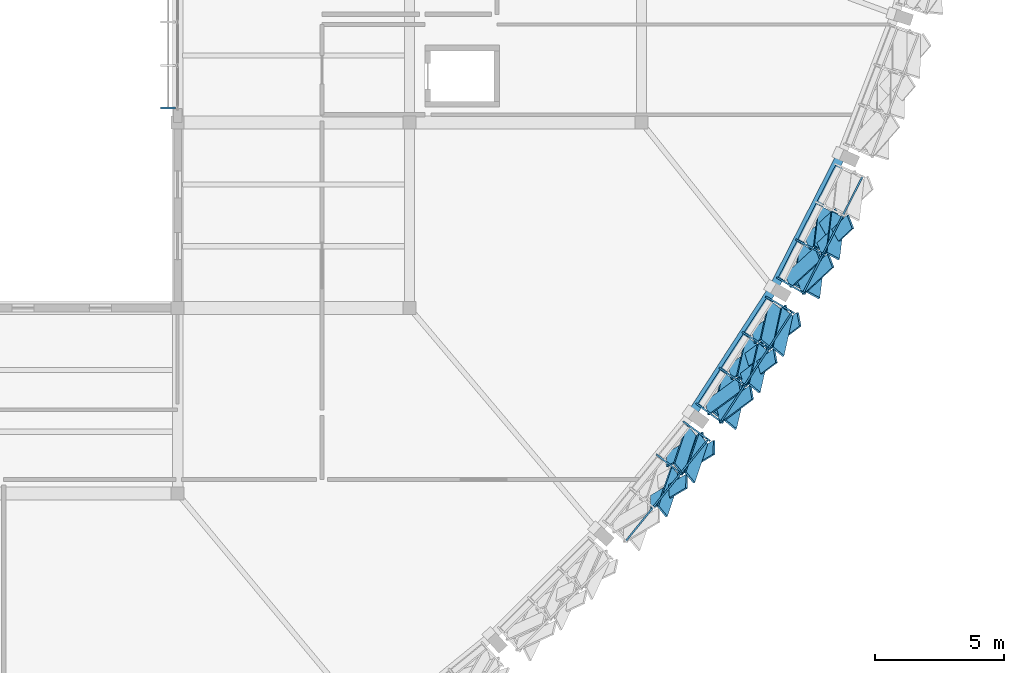
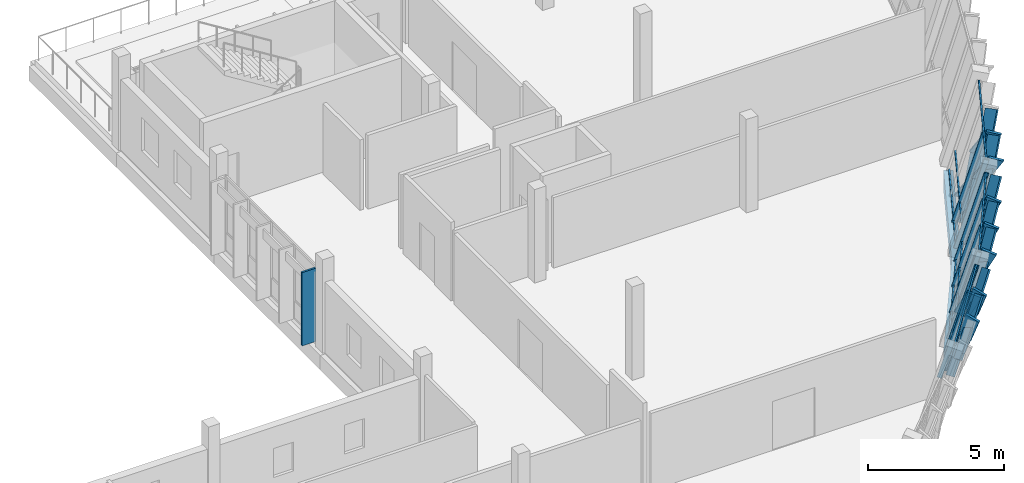
# One storey, part 9 of 24: 42 members, 2 beams, 4 elements without a shape of their own.
"""IFC4 building model written with IfcOpenShell, lengths in metres."""

from ifc_helpers import new_model, si_unit, direction, frame, origin, origin_2d, place, context, subcontext, project, spatial, rectangle, hollow_rectangle, extrude, material, material_profile, profile_set, type_object, element, aggregate, save


model = new_model("IFC4")

# Units and contexts
model_context = context("Model", 3, precision=1e-05, world=origin(), true_north=direction((0.0, 1.0)))
body_context = subcontext(model_context, "Body", "Model", "MODEL_VIEW")
ifc_project = project(units=[si_unit("LENGTHUNIT", "METRE"), si_unit("AREAUNIT", "SQUARE_METRE"), si_unit("VOLUMEUNIT", "CUBIC_METRE"), si_unit("PLANEANGLEUNIT", "RADIAN"), si_unit("MASSUNIT", "GRAM", prefix="KILO")], contexts=[model_context])

# Site, building, storey
site_placement = place(None, origin())
site = spatial("IfcSite", under=ifc_project, at=site_placement, CompositionType="ELEMENT")
building_placement = place(site_placement, origin())
building = spatial("IfcBuilding", under=site, at=building_placement, Name="Chiffa Square Polytechnic", CompositionType="ELEMENT")
storey_placement = place(building_placement, frame((0.0, 0.0, 22.199951171875)))
storey = spatial("IfcBuildingStorey", under=building, at=storey_placement, Name="L05", CompositionType="ELEMENT", Elevation=22.199951171875)

# Curtain wall, members
ifc_material_1 = material(Name="Aluminium EN AW-6060 T66 and glulam shading", Category="wood")
curtain_wall_type_1 = type_object("IfcCurtainWallType", Name="CW-PROW-LEAN-150", PredefinedType="USERDEFINED", material=ifc_material_1)
curtain_wall_1_placement = place(storey_placement, origin())
curtain_wall_1 = element("IfcCurtainWall", 1, at=curtain_wall_1_placement, inside=storey, type_object=curtain_wall_type_1, Name="Outward-leaning diamond-fin prow curtain wall CW-V1-L05-088", ObjectType="CURTAIN WALL", PredefinedType="USERDEFINED")
ifc_material_2 = material(Name="Aluminium EN AW-6060 T66", Category="aluminium")
ifc_material_profile_1 = material_profile(ifc_material_2, hollow_rectangle(XDim=0.06494140625, YDim=0.179931640625, WallThickness=0.00390625, at=origin_2d()), Name="ALU 65x180x4")
ifc_profile_set_1 = profile_set([ifc_material_profile_1], Name="Aluminium EN AW-6060 T66")
member_type_1 = type_object("IfcMemberType", Name="CWM-ALU-75X180", PredefinedType="MULLION", material=ifc_profile_set_1)
member_1_placement = place(storey_placement, frame((166.8427734375, 23.071044921875, 0.0), z_axis=(0.214450409061, -0.167404723396, 0.962282017206), x_axis=(0.61533662709, 0.78826444507, 0.0)))
member_1 = element("IfcMember", 2, at=member_1_placement, type_object=member_type_1, Name="Leaning prow mullion CW-V1-L05-088-M02", PredefinedType="MULLION", context=body_context, shape_type="SweptSolid", body=[
    extrude(hollow_rectangle(XDim=0.06494140625, YDim=0.179931640625, WallThickness=0.00390625, at=origin_2d()), origin(), (0.0, 0.0, 1.0), 4.135986328125),
])
member_2_placement = place(storey_placement, frame((167.882080078125, 24.35498046875, 0.0), z_axis=(0.220448976087, -0.160009952924, 0.962184526953), x_axis=(0.587411311585, 0.809288546207, 0.0)))
member_2 = element("IfcMember", 3, at=member_2_placement, type_object=member_type_1, Name="Leaning prow mullion CW-V1-L05-088-M03", PredefinedType="MULLION", context=body_context, shape_type="SweptSolid", body=[
    extrude(hollow_rectangle(XDim=0.06494140625, YDim=0.179931640625, WallThickness=0.00390625, at=origin_2d()), origin(), (0.0, 0.0, 1.0), 4.136474609375),
])

curtain_wall_type_2 = type_object("IfcCurtainWallType", Name="CW-PROW-LEAN-300", PredefinedType="USERDEFINED", material=ifc_material_1)
curtain_wall_2_placement = place(storey_placement, origin())
curtain_wall_2 = element("IfcCurtainWall", 4, at=curtain_wall_2_placement, inside=storey, type_object=curtain_wall_type_2, Name="Outward-leaning diamond-fin prow curtain wall CW-V1-L05-089", ObjectType="CURTAIN WALL", PredefinedType="USERDEFINED")
member_3_placement = place(storey_placement, frame((168.386962890625, 25.050048828125, 0.0), z_axis=(0.220503046323, -0.160065380521, 0.962162917868), x_axis=(0.587450206241, 0.809260313612, 0.0)))
member_3 = element("IfcMember", 5, at=member_3_placement, type_object=member_type_1, Name="Leaning prow mullion CW-V1-L05-089-M00", PredefinedType="MULLION", context=body_context, shape_type="SweptSolid", body=[
    extrude(hollow_rectangle(XDim=0.06494140625, YDim=0.179931640625, WallThickness=0.00390625, at=origin_2d()), origin(), (0.0, 0.0, 1.0), 4.136474609375),
])
member_4_placement = place(storey_placement, frame((169.287109375, 26.435302734375, 0.0), z_axis=(0.225550026799, -0.152058850833, 0.962291687221), x_axis=(0.558999438456, 0.829168033517, 0.0)))
member_4 = element("IfcMember", 6, at=member_4_placement, type_object=member_type_1, Name="Leaning prow mullion CW-V1-L05-089-M01", PredefinedType="MULLION", context=body_context, shape_type="SweptSolid", body=[
    extrude(hollow_rectangle(XDim=0.06494140625, YDim=0.179931640625, WallThickness=0.00390625, at=origin_2d()), origin(), (0.0, 0.0, 1.0), 4.135986328125),
])
member_5_placement = place(storey_placement, frame((170.18701171875, 27.82080078125, 0.0), z_axis=(0.230685550337, -0.144148954433, 0.962291668779), x_axis=(0.52992091427, 0.848047065097, 0.0)))
member_5 = element("IfcMember", 7, at=member_5_placement, type_object=member_type_1, Name="Leaning prow mullion CW-V1-L05-089-M02", PredefinedType="MULLION", context=body_context, shape_type="SweptSolid", body=[
    extrude(hollow_rectangle(XDim=0.06494140625, YDim=0.179931640625, WallThickness=0.00390625, at=origin_2d()), origin(), (0.0, 0.0, 1.0), 4.135986328125),
])
member_6_placement = place(storey_placement, frame((171.0869140625, 29.2060546875, 0.0), z_axis=(0.235748149012, -0.136112977371, 0.962234933698), x_axis=(0.50001024923, 0.866019486308, 0.0)))
member_6 = element("IfcMember", 8, at=member_6_placement, type_object=member_type_1, Name="Leaning prow mullion CW-V1-L05-089-M03", PredefinedType="MULLION", context=body_context, shape_type="SweptSolid", body=[
    extrude(hollow_rectangle(XDim=0.06494140625, YDim=0.179931640625, WallThickness=0.00390625, at=origin_2d()), origin(), (0.0, 0.0, 1.0), 4.13623046875),
])

curtain_wall_3_placement = place(storey_placement, origin())
curtain_wall_3 = element("IfcCurtainWall", 9, at=curtain_wall_3_placement, inside=storey, type_object=curtain_wall_type_1, Name="Outward-leaning diamond-fin prow curtain wall CW-V1-L05-090", ObjectType="CURTAIN WALL", PredefinedType="USERDEFINED")
member_7_placement = place(storey_placement, frame((171.51611328125, 29.949951171875, 0.0), z_axis=(0.235692402748, -0.136114871209, 0.962248321964), x_axis=(0.500104155402, 0.865965261283, 0.0)))
member_7 = element("IfcMember", 10, at=member_7_placement, type_object=member_type_1, Name="Leaning prow mullion CW-V1-L05-090-M00", PredefinedType="MULLION", context=body_context, shape_type="SweptSolid", body=[
    extrude(hollow_rectangle(XDim=0.06494140625, YDim=0.179931640625, WallThickness=0.00390625, at=origin_2d()), origin(), (0.0, 0.0, 1.0), 4.13623046875),
])
member_8_placement = place(storey_placement, frame((172.266357421875, 31.422119140625, 0.0), z_axis=(0.240022555098, -0.127685387771, 0.962333421842), x_axis=(0.469652583058, 0.882851318868, 0.0)))
member_8 = element("IfcMember", 11, at=member_8_placement, type_object=member_type_1, Name="Leaning prow mullion CW-V1-L05-090-M01", PredefinedType="MULLION", context=body_context, shape_type="SweptSolid", body=[
    extrude(hollow_rectangle(XDim=0.06494140625, YDim=0.179931640625, WallThickness=0.00390625, at=origin_2d()), origin(), (0.0, 0.0, 1.0), 4.1357421875),
])

# Member
ifc_material_3 = material(Name="Glulam GL28h", Category="wood")
ifc_material_profile_2 = material_profile(ifc_material_3, rectangle(XDim=0.080078125, YDim=0.580078125, at=origin_2d()), Name="GL28h 80x580")
ifc_profile_set_2 = profile_set([ifc_material_profile_2], Name="Glulam GL28h")
member_type_2 = type_object("IfcMemberType", Name="CWM-GL-80X580", PredefinedType="MULLION", material=ifc_profile_set_2)
member_9_placement = place(storey_placement, frame((166.583984375, 21.260986328125, 1.989990234375), z_axis=(0.543917772078, 0.323908266979, 0.774103928294), x_axis=(-0.838877430818, 0.23289790519, 0.491978883512)))
member_9 = element("IfcMember", 12, at=member_9_placement, type_object=member_type_2, Name="Diamond glulam fin CW-V1-L05-088-DF04A", PredefinedType="MULLION", context=body_context, shape_type="SweptSolid", body=[
    extrude(rectangle(XDim=0.080078125, YDim=0.580078125, at=origin_2d()), origin(), (0.0, 0.0, 1.0), 2.51904296875),
])

member_10_placement = place(storey_placement, frame((167.52001953125, 22.4169921875, 1.989990234375), z_axis=(-0.203672560314, -0.599190906854, 0.774265939661), x_axis=(0.789489197388, 0.36717174433, 0.491824884865)))
member_10 = element("IfcMember", 13, at=member_10_placement, type_object=member_type_2, Name="Diamond glulam fin CW-V1-L05-088-DF04B", PredefinedType="MULLION", context=body_context, shape_type="SweptSolid", body=[
    extrude(rectangle(XDim=0.080078125, YDim=0.580078125, at=origin_2d()), origin(), (0.0, 0.0, 1.0), 2.5185546875),
])

member_11_placement = place(storey_placement, frame((167.199951171875, 22.89892578125, 0.0400390625), z_axis=(0.544309557189, 0.324551837391, 0.773558795955), x_axis=(-0.83864297039, 0.232648233006, 0.492496464854)))
member_11 = element("IfcMember", 14, at=member_11_placement, type_object=member_type_2, Name="Diamond glulam fin CW-V1-L05-088-DF05A", PredefinedType="MULLION", context=body_context, shape_type="SweptSolid", body=[
    extrude(rectangle(XDim=0.080078125, YDim=0.580078125, at=origin_2d()), origin(), (0.0, 0.0, 1.0), 2.520751953125),
])

member_12_placement = place(storey_placement, frame((168.125, 24.0419921875, 0.0400390625), z_axis=(-0.196176232043, -0.593318250374, 0.780697341967), x_axis=(0.787971107504, 0.378483465733, 0.485645755573)))
member_12 = element("IfcMember", 15, at=member_12_placement, type_object=member_type_2, Name="Diamond glulam fin CW-V1-L05-088-DF05B", PredefinedType="MULLION", context=body_context, shape_type="SweptSolid", body=[
    extrude(rectangle(XDim=0.080078125, YDim=0.580078125, at=origin_2d()), origin(), (0.0, 0.0, 1.0), 2.497802734375),
])

member_13_placement = place(storey_placement, frame((167.635009765625, 22.56005859375, 1.989990234375), z_axis=(0.546453279533, 0.328354274233, 0.770436424295), x_axis=(-0.837349379445, 0.231044631742, 0.495443634419)))
member_13 = element("IfcMember", 16, at=member_13_placement, type_object=member_type_2, Name="Diamond glulam fin CW-V1-L05-088-DF06A", PredefinedType="MULLION", context=body_context, shape_type="SweptSolid", body=[
    extrude(rectangle(XDim=0.080078125, YDim=0.580078125, at=origin_2d()), origin(), (0.0, 0.0, 1.0), 2.531005859375),
])

member_14_placement = place(storey_placement, frame((168.572021484375, 23.717041015625, 1.989990234375), z_axis=(-0.199773677761, -0.596205654292, 0.77757912489), x_axis=(0.788705241904, 0.373038326831, 0.488657802667)))
member_14 = element("IfcMember", 17, at=member_14_placement, type_object=member_type_2, Name="Diamond glulam fin CW-V1-L05-088-DF06B", PredefinedType="MULLION", context=body_context, shape_type="SweptSolid", body=[
    extrude(rectangle(XDim=0.080078125, YDim=0.580078125, at=origin_2d()), origin(), (0.0, 0.0, 1.0), 2.5078125),
])

member_15_placement = place(storey_placement, frame((168.760009765625, 24.9150390625, 0.0400390625), z_axis=(0.503669079277, 0.369956814489, 0.780672411446), x_axis=(-0.850094823248, 0.05136030892, 0.524119175527)))
member_15 = element("IfcMember", 18, at=member_15_placement, type_object=member_type_2, Name="Diamond glulam fin CW-V1-L05-089-DF01A", PredefinedType="MULLION", context=body_context, shape_type="SweptSolid", body=[
    extrude(rectangle(XDim=0.080078125, YDim=0.580078125, at=origin_2d()), origin(), (0.0, 0.0, 1.0), 2.497802734375),
])

member_16_placement = place(storey_placement, frame((169.56103515625, 26.14892578125, 0.0400390625), z_axis=(-0.14008549459, -0.617790594055, 0.773764070051), x_axis=(0.674659215136, 0.512426441326, 0.531275903521)))
member_16 = element("IfcMember", 19, at=member_16_placement, type_object=member_type_2, Name="Diamond glulam fin CW-V1-L05-089-DF01B", PredefinedType="MULLION", context=body_context, shape_type="SweptSolid", body=[
    extrude(rectangle(XDim=0.080078125, YDim=0.580078125, at=origin_2d()), origin(), (0.0, 0.0, 1.0), 2.52001953125),
])

member_17_placement = place(storey_placement, frame((169.2080078125, 24.592041015625, 1.989990234375), z_axis=(0.505026185744, 0.374143965605, 0.777794860304), x_axis=(-0.848358676026, 0.049318786382, 0.527119734142)))
member_17 = element("IfcMember", 20, at=member_17_placement, type_object=member_type_2, Name="Diamond glulam fin CW-V1-L05-089-DF02A", PredefinedType="MULLION", context=body_context, shape_type="SweptSolid", body=[
    extrude(rectangle(XDim=0.080078125, YDim=0.580078125, at=origin_2d()), origin(), (0.0, 0.0, 1.0), 2.507080078125),
])

member_18_placement = place(storey_placement, frame((170.01806640625, 25.839111328125, 1.989990234375), z_axis=(-0.143477377097, -0.620899073045, 0.770648157951), x_axis=(0.676172318491, 0.507101689905, 0.534451935913)))
member_18 = element("IfcMember", 21, at=member_18_placement, type_object=member_type_2, Name="Diamond glulam fin CW-V1-L05-089-DF02B", PredefinedType="MULLION", context=body_context, shape_type="SweptSolid", body=[
    extrude(rectangle(XDim=0.080078125, YDim=0.580078125, at=origin_2d()), origin(), (0.0, 0.0, 1.0), 2.5302734375),
])

member_19_placement = place(storey_placement, frame((169.659912109375, 26.301025390625, 0.0400390625), z_axis=(0.505458856053, 0.374666267964, 0.777262203177), x_axis=(-0.848012473369, 0.049366206135, 0.52767207876)))
member_19 = element("IfcMember", 22, at=member_19_placement, type_object=member_type_2, Name="Diamond glulam fin CW-V1-L05-089-DF03A", PredefinedType="MULLION", context=body_context, shape_type="SweptSolid", body=[
    extrude(rectangle(XDim=0.080078125, YDim=0.580078125, at=origin_2d()), origin(), (0.0, 0.0, 1.0), 2.5087890625),
])

member_20_placement = place(storey_placement, frame((170.4619140625, 27.533935546875, 0.0400390625), z_axis=(-0.137133702035, -0.613938532603, 0.777350516788), x_axis=(0.673660356713, 0.517533060745, 0.527580567145)))
member_20 = element("IfcMember", 23, at=member_20_placement, type_object=member_type_2, Name="Diamond glulam fin CW-V1-L05-089-DF03B", PredefinedType="MULLION", context=body_context, shape_type="SweptSolid", body=[
    extrude(rectangle(XDim=0.080078125, YDim=0.580078125, at=origin_2d()), origin(), (0.0, 0.0, 1.0), 2.508544921875),
])

member_21_placement = place(storey_placement, frame((170.117919921875, 25.993896484375, 1.989990234375), z_axis=(0.507056999067, 0.378814519662, 0.774204597887), x_axis=(-0.846137842607, 0.047710678943, 0.530824304666)))
member_21 = element("IfcMember", 24, at=member_21_placement, type_object=member_type_2, Name="Diamond glulam fin CW-V1-L05-089-DF04A", PredefinedType="MULLION", context=body_context, shape_type="SweptSolid", body=[
    extrude(rectangle(XDim=0.080078125, YDim=0.580078125, at=origin_2d()), origin(), (0.0, 0.0, 1.0), 2.5185546875),
])

member_22_placement = place(storey_placement, frame((170.927978515625, 27.240966796875, 1.989990234375), z_axis=(-0.1397724611, -0.61734452479, 0.774176592793), x_axis=(0.674568288821, 0.512984094726, 0.530853032652)))
member_22 = element("IfcMember", 25, at=member_22_placement, type_object=member_type_2, Name="Diamond glulam fin CW-V1-L05-089-DF04B", PredefinedType="MULLION", context=body_context, shape_type="SweptSolid", body=[
    extrude(rectangle(XDim=0.080078125, YDim=0.580078125, at=origin_2d()), origin(), (0.0, 0.0, 1.0), 2.518798828125),
])

member_23_placement = place(storey_placement, frame((170.56103515625, 27.68701171875, 0.0400390625), z_axis=(0.507195893418, 0.379403843099, 0.773824947608), x_axis=(-0.845912022978, 0.047381752468, 0.531213534197)))
member_23 = element("IfcMember", 26, at=member_23_placement, type_object=member_type_2, Name="Diamond glulam fin CW-V1-L05-089-DF05A", PredefinedType="MULLION", context=body_context, shape_type="SweptSolid", body=[
    extrude(rectangle(XDim=0.080078125, YDim=0.580078125, at=origin_2d()), origin(), (0.0, 0.0, 1.0), 2.519775390625),
])

member_24_placement = place(storey_placement, frame((171.362060546875, 28.919921875, 0.0400390625), z_axis=(-0.133357337238, -0.610276025688, 0.780883469588), x_axis=(0.671893768886, 0.523535737714, 0.523897981165)))
member_24 = element("IfcMember", 27, at=member_24_placement, type_object=member_type_2, Name="Diamond glulam fin CW-V1-L05-089-DF05B", PredefinedType="MULLION", context=body_context, shape_type="SweptSolid", body=[
    extrude(rectangle(XDim=0.080078125, YDim=0.580078125, at=origin_2d()), origin(), (0.0, 0.0, 1.0), 2.4970703125),
])

member_25_placement = place(storey_placement, frame((171.029052734375, 27.39599609375, 1.989990234375), z_axis=(0.50871094206, 0.383439304269, 0.770835570903), x_axis=(-0.844077167265, 0.045804615501, 0.534261801836)))
member_25 = element("IfcMember", 28, at=member_25_placement, type_object=member_type_2, Name="Diamond glulam fin CW-V1-L05-089-DF06A", PredefinedType="MULLION", context=body_context, shape_type="SweptSolid", body=[
    extrude(rectangle(XDim=0.080078125, YDim=0.580078125, at=origin_2d()), origin(), (0.0, 0.0, 1.0), 2.529541015625),
])

member_26_placement = place(storey_placement, frame((171.839111328125, 28.64306640625, 1.989990234375), z_axis=(-0.13640220864, -0.613761258578, 0.777619158037), x_axis=(0.673153021103, 0.518476202629, 0.527302036301)))
member_26 = element("IfcMember", 29, at=member_26_placement, type_object=member_type_2, Name="Diamond glulam fin CW-V1-L05-089-DF06B", PredefinedType="MULLION", context=body_context, shape_type="SweptSolid", body=[
    extrude(rectangle(XDim=0.080078125, YDim=0.580078125, at=origin_2d()), origin(), (0.0, 0.0, 1.0), 2.507568359375),
])

member_27_placement = place(storey_placement, frame((171.90087890625, 29.85498046875, 0.0400390625), z_axis=(0.462035201577, 0.420787294857, 0.780680168181), x_axis=(-0.819964448247, -0.132712802984, 0.556817398737)))
member_27 = element("IfcMember", 30, at=member_27_placement, type_object=member_type_2, Name="Diamond glulam fin CW-V1-L05-090-DF01A", PredefinedType="MULLION", context=body_context, shape_type="SweptSolid", body=[
    extrude(rectangle(XDim=0.080078125, YDim=0.580078125, at=origin_2d()), origin(), (0.0, 0.0, 1.0), 2.497802734375),
])

member_28_placement = place(storey_placement, frame((172.569091796875, 31.1650390625, 0.0400390625), z_axis=(-0.075469377884, -0.628943775639, 0.773779102901), x_axis=(0.532896569273, 0.630443659173, 0.564413003983)))
member_28 = element("IfcMember", 31, at=member_28_placement, type_object=member_type_2, Name="Diamond glulam fin CW-V1-L05-090-DF01B", PredefinedType="MULLION", context=body_context, shape_type="SweptSolid", body=[
    extrude(rectangle(XDim=0.080078125, YDim=0.580078125, at=origin_2d()), origin(), (0.0, 0.0, 1.0), 2.52001953125),
])

member_29_placement = place(storey_placement, frame((172.37890625, 29.580078125, 1.989990234375), z_axis=(0.46340059924, 0.425043490815, 0.777558946666), x_axis=(-0.817439727877, -0.13373665194, 0.560273860907)))
member_29 = element("IfcMember", 32, at=member_29_placement, type_object=member_type_2, Name="Diamond glulam fin CW-V1-L05-090-DF02A", PredefinedType="MULLION", context=body_context, shape_type="SweptSolid", body=[
    extrude(rectangle(XDim=0.080078125, YDim=0.580078125, at=origin_2d()), origin(), (0.0, 0.0, 1.0), 2.5078125),
])

member_30_placement = place(storey_placement, frame((173.054931640625, 30.906005859375, 1.989990234375), z_axis=(-0.078235341944, -0.632635477768, 0.770487886693), x_axis=(0.534814243647, 0.625601081616, 0.567976241997)))
member_30 = element("IfcMember", 33, at=member_30_placement, type_object=member_type_2, Name="Diamond glulam fin CW-V1-L05-090-DF02B", PredefinedType="MULLION", context=body_context, shape_type="SweptSolid", body=[
    extrude(rectangle(XDim=0.080078125, YDim=0.580078125, at=origin_2d()), origin(), (0.0, 0.0, 1.0), 2.53076171875),
])

member_31_placement = place(storey_placement, frame((172.652099609375, 31.326904296875, 0.0400390625), z_axis=(0.463151501518, 0.425780167922, 0.777304274558), x_axis=(-0.817120955873, -0.134507168665, 0.560554337287)))
member_31 = element("IfcMember", 34, at=member_31_placement, type_object=member_type_2, Name="Diamond glulam fin CW-V1-L05-090-DF03A", PredefinedType="MULLION", context=body_context, shape_type="SweptSolid", body=[
    extrude(rectangle(XDim=0.080078125, YDim=0.580078125, at=origin_2d()), origin(), (0.0, 0.0, 1.0), 2.508544921875),
])

member_32_placement = place(storey_placement, frame((173.320068359375, 32.637939453125, 0.0400390625), z_axis=(-0.07259819969, -0.624967343712, 0.777267856466), x_axis=(0.530869655884, 0.635540162017, 0.560594426413)))
member_32 = element("IfcMember", 35, at=member_32_placement, type_object=member_type_2, Name="Diamond glulam fin CW-V1-L05-090-DF03B", PredefinedType="MULLION", context=body_context, shape_type="SweptSolid", body=[
    extrude(rectangle(XDim=0.080078125, YDim=0.580078125, at=origin_2d()), origin(), (0.0, 0.0, 1.0), 2.5087890625),
])

member_33_placement = place(storey_placement, frame((173.137939453125, 31.070068359375, 1.989990234375), z_axis=(0.464871253482, 0.429887196258, 0.774010152504), x_axis=(-0.814567465796, -0.134913725692, 0.564161439914)))
member_33 = element("IfcMember", 36, at=member_33_placement, type_object=member_type_2, Name="Diamond glulam fin CW-V1-L05-090-DF04A", PredefinedType="MULLION", context=body_context, shape_type="SweptSolid", body=[
    extrude(rectangle(XDim=0.080078125, YDim=0.580078125, at=origin_2d()), origin(), (0.0, 0.0, 1.0), 2.519287109375),
])

member_34_placement = place(storey_placement, frame((173.81396484375, 32.39501953125, 1.989990234375), z_axis=(-0.075024271442, -0.628497901844, 0.77418456848), x_axis=(0.532552020622, 0.631129614094, 0.563971413766)))
member_34 = element("IfcMember", 37, at=member_34_placement, type_object=member_type_2, Name="Diamond glulam fin CW-V1-L05-090-DF04B", PredefinedType="MULLION", context=body_context, shape_type="SweptSolid", body=[
    extrude(rectangle(XDim=0.080078125, YDim=0.580078125, at=origin_2d()), origin(), (0.0, 0.0, 1.0), 2.518798828125),
])

# Curtain wall, member
curtain_wall_type_3 = type_object("IfcCurtainWallType", Name="CW-VERT-600X380", PredefinedType="USERDEFINED", material=ifc_material_1)
curtain_wall_4_placement = place(storey_placement, origin())
curtain_wall_4 = element("IfcCurtainWall", 38, at=curtain_wall_4_placement, inside=storey, type_object=curtain_wall_type_3, Name="Curtain wall CW-V1-L05-140", ObjectType="CURTAIN WALL", PredefinedType="USERDEFINED")
member_35_placement = place(storey_placement, frame((147.827880859375, 36.56494140625, 0.010009765625), z_axis=(0.0, 0.0, 1.0), x_axis=(0.0, -1.0, 0.0)))
member_35 = element("IfcMember", 39, at=member_35_placement, type_object=member_type_2, Name="Exterior glulam solar fin CW-V1-L05-140-FN04", PredefinedType="MULLION", context=body_context, shape_type="SweptSolid", body=[
    extrude(rectangle(XDim=0.080078125, YDim=0.580078125, at=origin_2d()), origin(), (0.0, 0.0, 1.0), 3.294921875),
])
aggregate(curtain_wall_4, [member_35])

# Member
ifc_material_profile_3 = material_profile(ifc_material_2, hollow_rectangle(XDim=0.06494140625, YDim=0.139892578125, WallThickness=0.00390625, at=origin_2d()), Name="ALU 65x140x4")
ifc_profile_set_3 = profile_set([ifc_material_profile_3], Name="Aluminium EN AW-6060 T66")
member_type_3 = type_object("IfcMemberType", Name="CWT-ALU-75X140", PredefinedType="USERDEFINED", material=ifc_profile_set_3)
member_36_placement = place(storey_placement, frame((165.592529296875, 19.757568359375, 3.93994140625), z_axis=(0.629332518477, 0.777136140704, 0.0), x_axis=(-0.777136140704, 0.629332518477, 0.0)))
member_36 = element("IfcMember", 40, at=member_36_placement, type_object=member_type_3, Name="Leaning prow transom CW-V1-L05-088-T03", ObjectType="TRANSOM", PredefinedType="USERDEFINED", context=body_context, shape_type="SweptSolid", body=[
    extrude(hollow_rectangle(XDim=0.06494140625, YDim=0.139892578125, WallThickness=0.00390625, at=origin_2d()), origin(), (0.0, 0.0, 1.0), 5.07275390625),
])

aggregate(curtain_wall_1, [member_1, member_2, member_36, member_9, member_10, member_11, member_12, member_13, member_14])

member_37_placement = place(storey_placement, frame((168.396240234375, 25.043212890625, 0.0400390625), z_axis=(0.544761552577, 0.838590991386, 0.0), x_axis=(-0.838590991386, 0.544761552577, 0.0)))
member_37 = element("IfcMember", 41, at=member_37_placement, type_object=member_type_3, Name="Leaning prow transom CW-V1-L05-089-T01", ObjectType="TRANSOM", PredefinedType="USERDEFINED", context=body_context, shape_type="SweptSolid", body=[
    extrude(hollow_rectangle(XDim=0.06494140625, YDim=0.139892578125, WallThickness=0.00390625, at=origin_2d()), origin(), (0.0, 0.0, 1.0), 4.95703125),
])

member_38_placement = place(storey_placement, frame((168.581787109375, 24.90869140625, 0.85009765625), z_axis=(0.544752299126, 0.838597002497, 0.0), x_axis=(-0.838597002497, 0.544752299126, 0.0)))
member_38 = element("IfcMember", 42, at=member_38_placement, type_object=member_type_3, Name="Leaning prow transom CW-V1-L05-089-T02", ObjectType="TRANSOM", PredefinedType="USERDEFINED", context=body_context, shape_type="SweptSolid", body=[
    extrude(hollow_rectangle(XDim=0.06494140625, YDim=0.139892578125, WallThickness=0.00390625, at=origin_2d()), origin(), (0.0, 0.0, 1.0), 4.98095703125),
])

member_39_placement = place(storey_placement, frame((169.289794921875, 24.394775390625, 3.93994140625), z_axis=(0.5446296264, 0.838676677896, 0.0), x_axis=(-0.838676677896, 0.5446296264, 0.0)))
member_39 = element("IfcMember", 43, at=member_39_placement, type_object=member_type_3, Name="Leaning prow transom CW-V1-L05-089-T03", ObjectType="TRANSOM", PredefinedType="USERDEFINED", context=body_context, shape_type="SweptSolid", body=[
    extrude(hollow_rectangle(XDim=0.06494140625, YDim=0.139892578125, WallThickness=0.00390625, at=origin_2d()), origin(), (0.0, 0.0, 1.0), 5.072265625),
])

aggregate(curtain_wall_2, [member_3, member_4, member_5, member_6, member_37, member_38, member_39, member_15, member_16, member_17, member_18, member_19, member_20, member_21, member_22, member_23, member_24, member_25, member_26])

member_40_placement = place(storey_placement, frame((171.52587890625, 29.9443359375, 0.0400390625), z_axis=(0.454133798994, 0.890933495055, 0.0), x_axis=(-0.890933495055, 0.454133798994, 0.0)))
member_40 = element("IfcMember", 44, at=member_40_placement, type_object=member_type_3, Name="Leaning prow transom CW-V1-L05-090-T01", ObjectType="TRANSOM", PredefinedType="USERDEFINED", context=body_context, shape_type="SweptSolid", body=[
    extrude(hollow_rectangle(XDim=0.06494140625, YDim=0.139892578125, WallThickness=0.00390625, at=origin_2d()), origin(), (0.0, 0.0, 1.0), 4.957763671875),
])

member_41_placement = place(storey_placement, frame((171.72412109375, 29.829833984375, 0.85009765625), z_axis=(0.454139397785, 0.890930641172, 0.0), x_axis=(-0.890930641172, 0.454139397785, 0.0)))
member_41 = element("IfcMember", 45, at=member_41_placement, type_object=member_type_3, Name="Leaning prow transom CW-V1-L05-090-T02", ObjectType="TRANSOM", PredefinedType="USERDEFINED", context=body_context, shape_type="SweptSolid", body=[
    extrude(hollow_rectangle(XDim=0.06494140625, YDim=0.139892578125, WallThickness=0.00390625, at=origin_2d()), origin(), (0.0, 0.0, 1.0), 4.98193359375),
])

member_42_placement = place(storey_placement, frame((172.481201171875, 29.392578125, 3.93994140625), z_axis=(0.454053378421, 0.890974483105, 0.0), x_axis=(-0.890974483105, 0.454053378421, 0.0)))
member_42 = element("IfcMember", 46, at=member_42_placement, type_object=member_type_3, Name="Leaning prow transom CW-V1-L05-090-T03", ObjectType="TRANSOM", PredefinedType="USERDEFINED", context=body_context, shape_type="SweptSolid", body=[
    extrude(hollow_rectangle(XDim=0.06494140625, YDim=0.139892578125, WallThickness=0.00390625, at=origin_2d()), origin(), (0.0, 0.0, 1.0), 5.072998046875),
])

aggregate(curtain_wall_3, [member_7, member_8, member_40, member_41, member_42, member_27, member_28, member_29, member_30, member_31, member_32, member_33, member_34])

# Beams
ifc_material_4 = material(Name="Glulam GL32c", Category="wood")
ifc_material_profile_4 = material_profile(ifc_material_4, rectangle(XDim=0.360107421875, YDim=0.89990234375, at=origin_2d()), Name="GL32c 360x900")
ifc_profile_set_4 = profile_set([ifc_material_profile_4], Name="Glulam GL32c")
beam_type = type_object("IfcBeamType", Name="RB-GL-360X900", PredefinedType="SPANDREL", material=ifc_profile_set_4)
beam_1_placement = place(storey_placement, frame((168.153076171875, 24.68896484375, -0.7099609375), z_axis=(0.544663725072, 0.838654533518, 0.0), x_axis=(-0.838654533518, 0.544663725072, 0.0)))
element("IfcBeam", 47, at=beam_1_placement, inside=storey, type_object=beam_type, Name="Prow perimeter edge beam RB-V1-PROW-L05-12", PredefinedType="SPANDREL", context=body_context, shape_type="SweptSolid", body=[
    extrude(rectangle(XDim=0.360107421875, YDim=0.89990234375, at=origin_2d()), origin(), (0.0, 0.0, 1.0), 5.81640625),
])
beam_2_placement = place(storey_placement, frame((171.321044921875, 29.56689453125, -0.7099609375), z_axis=(0.454050909073, 0.890975741516, 0.0), x_axis=(-0.890975741516, 0.454050909073, 0.0)))
element("IfcBeam", 48, at=beam_2_placement, inside=storey, type_object=beam_type, Name="Prow perimeter edge beam RB-V1-PROW-L05-13", PredefinedType="SPANDREL", context=body_context, shape_type="SweptSolid", body=[
    extrude(rectangle(XDim=0.360107421875, YDim=0.89990234375, at=origin_2d()), origin(), (0.0, 0.0, 1.0), 5.816162109375),
])

save(model, "model.ifc")
